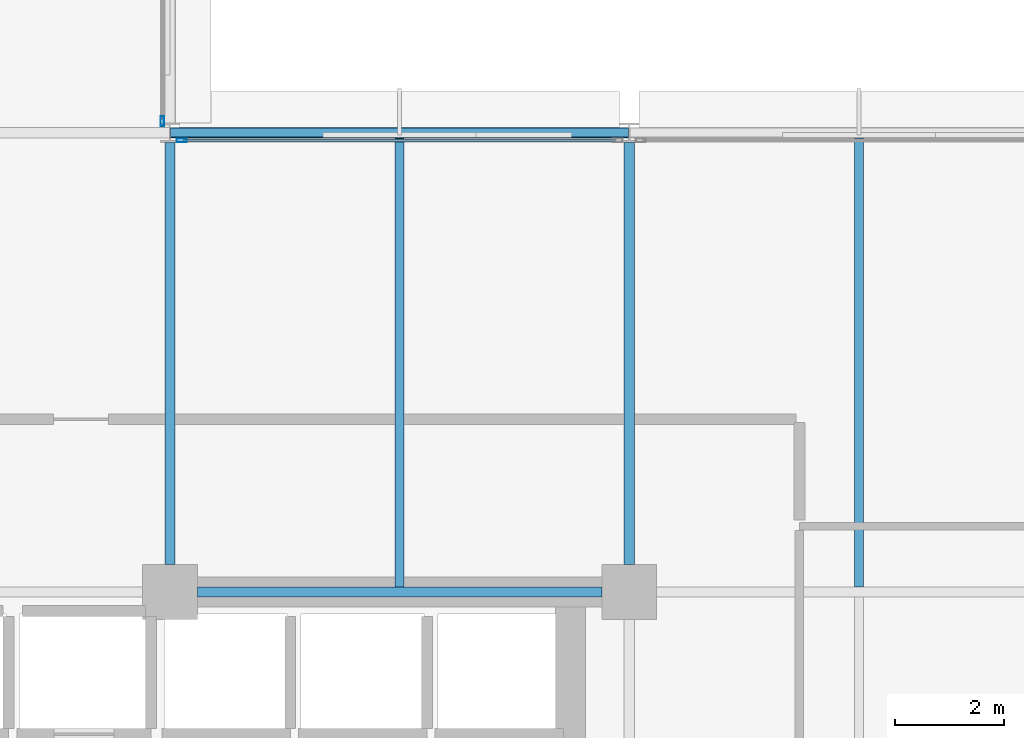
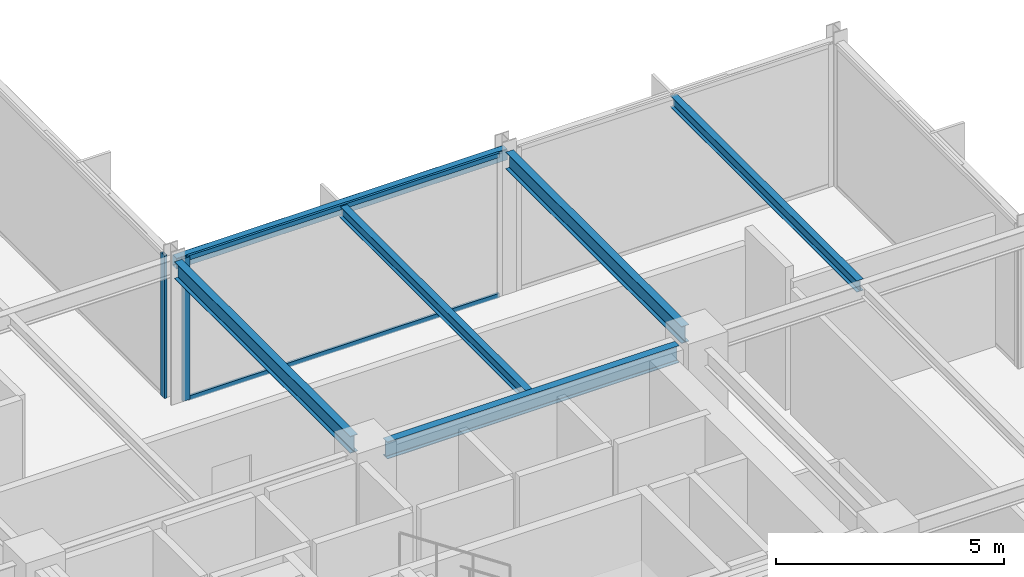
# One storey, part 14 of 30: 6 beams, 4 members, 2 elements without a shape of their own.
"""IFC4 building model written with IfcOpenShell, lengths in metres."""

from ifc_helpers import new_model, si_unit, direction, frame, origin, origin_2d, place, context, subcontext, project, spatial, hollow_rectangle, i_section, extrude, material, layer, layer_set, material_profile, profile_set, type_object, element, aggregate, save


model = new_model("IFC4")

# Units and contexts
model_context = context("Model", 3, precision=1e-05, world=origin(), true_north=direction((0.0, 1.0)))
body_context = subcontext(model_context, "Body", "Model", "MODEL_VIEW")
ifc_project = project(units=[si_unit("LENGTHUNIT", "METRE"), si_unit("AREAUNIT", "SQUARE_METRE"), si_unit("VOLUMEUNIT", "CUBIC_METRE"), si_unit("PLANEANGLEUNIT", "RADIAN"), si_unit("MASSUNIT", "GRAM", prefix="KILO")], contexts=[model_context])

# Site, building, storey
site_placement = place(None, origin())
site = spatial("IfcSite", under=ifc_project, at=site_placement, CompositionType="ELEMENT")
building_placement = place(site_placement, origin())
building = spatial("IfcBuilding", under=site, at=building_placement, Name="Nerrivon Quay Data Exchange", CompositionType="ELEMENT")
storey_placement = place(building_placement, frame((0.0, 0.0, 171.39990234375)))
storey = spatial("IfcBuildingStorey", under=building, at=storey_placement, Name="L40", CompositionType="ELEMENT", Elevation=171.39990234375)

# Beams
ifc_material_1 = material(Name="Steel Grade 350", Category="steel")
ifc_material_profile_1 = material_profile(ifc_material_1, i_section(OverallWidth=0.19091796875, OverallDepth=0.4599609375, WebThickness=0.010009765625, FlangeThickness=0.01611328125, FilletRadius=0.011474609375, at=origin_2d()), Name="460UB82.1")
ifc_profile_set_1 = profile_set([ifc_material_profile_1], Name="Steel Grade 350")
beam_type_1 = type_object("IfcBeamType", Name="BM-G5-460UB82", PredefinedType="BEAM", material=ifc_profile_set_1)
beam_1_placement = place(storey_placement, frame((25.699951171875, 16.800048828125, 3.59521484375), z_axis=(1.0, 0.0, 0.0), x_axis=(0.0, 1.0, 0.0)))
element("IfcBeam", 1, at=beam_1_placement, inside=storey, type_object=beam_type_1, Name="L40 EW Girder Y=16.8 (25.2..33.6)", PredefinedType="BEAM", context=body_context, shape_type="SweptSolid", body=[
    extrude(i_section(OverallWidth=0.19091796875, OverallDepth=0.4599609375, WebThickness=0.010009765625, FlangeThickness=0.01611328125, FilletRadius=0.011474609375, at=origin_2d()), origin(), (0.0, 0.0, 1.0), 7.400146484375),
])
ifc_material_profile_2 = material_profile(ifc_material_1, i_section(OverallWidth=0.18994140625, OverallDepth=0.4541015625, WebThickness=0.008544921875, FlangeThickness=0.0126953125, FilletRadius=0.011474609375, at=origin_2d()), Name="460UB67.1")
ifc_profile_set_2 = profile_set([ifc_material_profile_2], Name="Steel Grade 350")
beam_type_2 = type_object("IfcBeamType", Name="BM-G6-460UB67", PredefinedType="BEAM", material=ifc_profile_set_2)
for number, where, z_axis, x_axis, name in (
    (2, (25.199951171875, 17.300048828125, 3.59814453125), (0.0, 1.0, 0.0), (-1.0, 0.0, 0.0), "L40 NS Girder X=25.2 (16.8..25.2)"),
    (3, (33.60009765625, 17.300048828125, 3.59814453125), (0.0, 1.0, 0.0), (-1.0, 0.0, 0.0), "L40 NS Girder X=33.6 (16.8..25.2)"),
):
    element("IfcBeam", number, at=place(storey_placement, frame(where, z_axis=z_axis, x_axis=x_axis)), inside=storey, type_object=beam_type_2, Name=name, PredefinedType="BEAM", context=body_context, shape_type="SweptSolid", body=[
        extrude(i_section(OverallWidth=0.18994140625, OverallDepth=0.4541015625, WebThickness=0.008544921875, FlangeThickness=0.0126953125, FilletRadius=0.011474609375, at=origin_2d()), origin(), (0.0, 0.0, 1.0), 7.724853515625),
    ])
ifc_material_profile_3 = material_profile(ifc_material_1, i_section(OverallWidth=0.166015625, OverallDepth=0.306884765625, WebThickness=0.006591796875, FlangeThickness=0.01171875, FilletRadius=0.011474609375, at=origin_2d()), Name="310UB46.2")
ifc_profile_set_3 = profile_set([ifc_material_profile_3], Name="Steel Grade 350")
beam_type_3 = type_object("IfcBeamType", Name="BM-J5-310UB46", PredefinedType="JOIST", material=ifc_profile_set_3)
for number, where, z_axis, x_axis, name in (
    (4, (29.39990234375, 16.8955078125, 3.671630859375), (0.0, 1.0, 0.0), (-1.0, 0.0, 0.0), "L40 Secondary Joist X=29.4 (16.8..25.2)"),
    (5, (37.800048828125, 16.8955078125, 3.671630859375), (0.0, 1.0, 0.0), (-1.0, 0.0, 0.0), "L40 Secondary Joist X=37.8 (16.8..25.2)"),
):
    element("IfcBeam", number, at=place(storey_placement, frame(where, z_axis=z_axis, x_axis=x_axis)), inside=storey, type_object=beam_type_3, Name=name, PredefinedType="JOIST", context=body_context, shape_type="SweptSolid", body=[
        extrude(i_section(OverallWidth=0.166015625, OverallDepth=0.306884765625, WebThickness=0.006591796875, FlangeThickness=0.01171875, FilletRadius=0.011474609375, at=origin_2d()), origin(), (0.0, 0.0, 1.0), 8.20458984375),
    ])
ifc_material_2 = material(Name="Steel Grade C350L0 (350 MPa)", Category="steel")
ifc_material_profile_4 = material_profile(ifc_material_2, hollow_rectangle(XDim=0.199951171875, YDim=0.300048828125, WallThickness=0.012451171875, InnerFilletRadius=0.018798828125, OuterFilletRadius=0.03125, at=origin_2d()), Name="300x200x12.5RHS")
ifc_profile_set_4 = profile_set([ifc_material_profile_4], Name="Steel Grade C350L0 (350 MPa)")
beam_type_4 = type_object("IfcBeamType", Name="BM-SP3-300x200RHS", PredefinedType="SPANDREL", material=ifc_profile_set_4)
beam_2_placement = place(storey_placement, frame((25.2099609375, 25.199951171875, 3.675048828125), z_axis=(1.0, 0.0, 0.0), x_axis=(0.0, 1.0, 0.0)))
element("IfcBeam", 6, at=beam_2_placement, inside=storey, type_object=beam_type_4, Name="L40 EW Girder Y=25.2 (25.2..33.6)", PredefinedType="SPANDREL", context=body_context, shape_type="SweptSolid", body=[
    extrude(hollow_rectangle(XDim=0.199951171875, YDim=0.300048828125, WallThickness=0.012451171875, InnerFilletRadius=0.018798828125, OuterFilletRadius=0.03125, at=origin_2d()), origin(), (0.0, 0.0, 1.0), 8.380126953125),
])

# Curtain wall, member
ifc_material_3 = material(Name="Anodised aluminium 6063-T6", Category="aluminium")
ifc_layer = layer(ifc_material_3, 0.195068359375)
ifc_layer_set = layer_set([ifc_layer], Name="Anodised aluminium 6063-T6")
curtain_wall_type = type_object("IfcCurtainWallType", Name="CW-SYS-06", PredefinedType="NOTDEFINED", material=ifc_layer_set)
curtain_wall_1_placement = place(storey_placement, origin())
curtain_wall_1 = element("IfcCurtainWall", 7, at=curtain_wall_1_placement, inside=storey, type_object=curtain_wall_type, Name="L40 Unitised Curtain Wall 15", PredefinedType="NOTDEFINED")
ifc_material_profile_5 = material_profile(ifc_material_3, hollow_rectangle(XDim=0.06494140625, YDim=0.179931640625, WallThickness=0.00341796875, at=origin_2d()), Name="ALU-MULL-180x65")
ifc_profile_set_5 = profile_set([ifc_material_profile_5], Name="Anodised aluminium 6063-T6")
member_type_1 = type_object("IfcMemberType", Name="CWM-180x65", PredefinedType="MULLION", material=ifc_profile_set_5)
member_1_placement = place(storey_placement, frame((25.06005859375, 25.41259765625, 0.0), z_axis=(0.0, 0.0, 1.0), x_axis=(1.0, 0.0, 0.0)))
member_1 = element("IfcMember", 8, at=member_1_placement, type_object=member_type_1, Name="CW06 mullion 2", PredefinedType="MULLION", context=body_context, shape_type="SweptSolid", body=[
    extrude(hollow_rectangle(XDim=0.06494140625, YDim=0.179931640625, WallThickness=0.00341796875, at=origin_2d()), origin(), (0.0, 0.0, 1.0), 3.8251953125),
])
aggregate(curtain_wall_1, [member_1])

# Curtain wall, members
curtain_wall_2_placement = place(storey_placement, origin())
curtain_wall_2 = element("IfcCurtainWall", 9, at=curtain_wall_2_placement, inside=storey, type_object=curtain_wall_type, Name="L40 Unitised Curtain Wall 16", PredefinedType="NOTDEFINED")
member_2_placement = place(storey_placement, frame((25.41259765625, 25.06005859375, 0.0), z_axis=(0.0, 0.0, 1.0), x_axis=(0.0, 1.0, 0.0)))
member_2 = element("IfcMember", 10, at=member_2_placement, type_object=member_type_1, Name="CW06 mullion 1", PredefinedType="MULLION", context=body_context, shape_type="SweptSolid", body=[
    extrude(hollow_rectangle(XDim=0.06494140625, YDim=0.179931640625, WallThickness=0.00341796875, at=origin_2d()), origin(), (0.0, 0.0, 1.0), 3.8251953125),
])
ifc_material_profile_6 = material_profile(ifc_material_3, hollow_rectangle(XDim=0.06005859375, YDim=0.1201171875, WallThickness=0.003173828125, at=origin_2d()), Name="ALU-TRAN-120x60")
ifc_profile_set_6 = profile_set([ifc_material_profile_6], Name="Anodised aluminium 6063-T6")
member_type_2 = type_object("IfcMemberType", Name="CWT-120x60", PredefinedType="USERDEFINED", material=ifc_profile_set_6)
member_3_placement = place(storey_placement, frame((25.449951171875, 25.06005859375, 0.03271484375), z_axis=(1.0, 0.0, 0.0), x_axis=(0.0, 1.0, 0.0)))
member_3 = element("IfcMember", 11, at=member_3_placement, type_object=member_type_2, Name="CW06 transom 1.1", ObjectType="TRANSOM", PredefinedType="USERDEFINED", context=body_context, shape_type="SweptSolid", body=[
    extrude(hollow_rectangle(XDim=0.06005859375, YDim=0.1201171875, WallThickness=0.003173828125, at=origin_2d()), origin(), (0.0, 0.0, 1.0), 7.900146484375),
])
member_4_placement = place(storey_placement, frame((25.449951171875, 25.06005859375, 3.79248046875), z_axis=(1.0, 0.0, 0.0), x_axis=(0.0, 1.0, 0.0)))
member_4 = element("IfcMember", 12, at=member_4_placement, type_object=member_type_2, Name="CW06 transom 1.2", ObjectType="TRANSOM", PredefinedType="USERDEFINED", context=body_context, shape_type="SweptSolid", body=[
    extrude(hollow_rectangle(XDim=0.06005859375, YDim=0.1201171875, WallThickness=0.003173828125, at=origin_2d()), origin(), (0.0, 0.0, 1.0), 7.900146484375),
])
aggregate(curtain_wall_2, [member_2, member_3, member_4])

save(model, "model.ifc")
